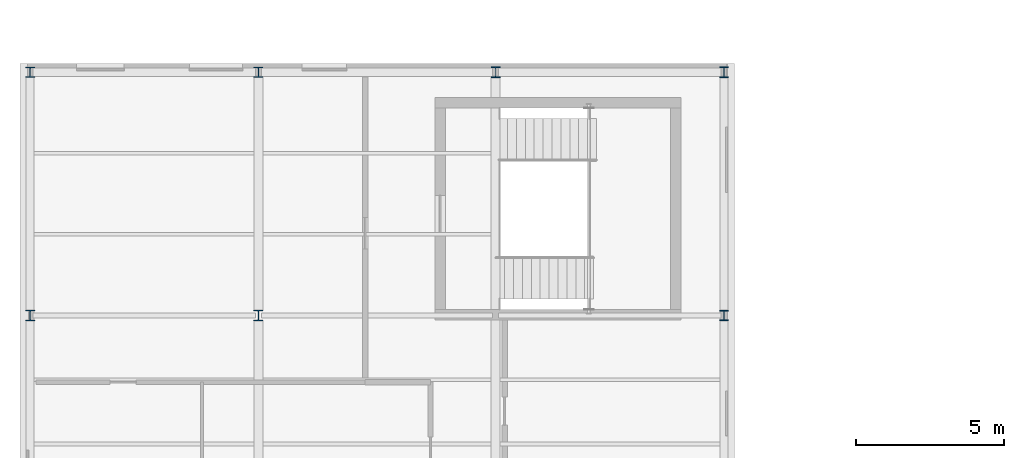
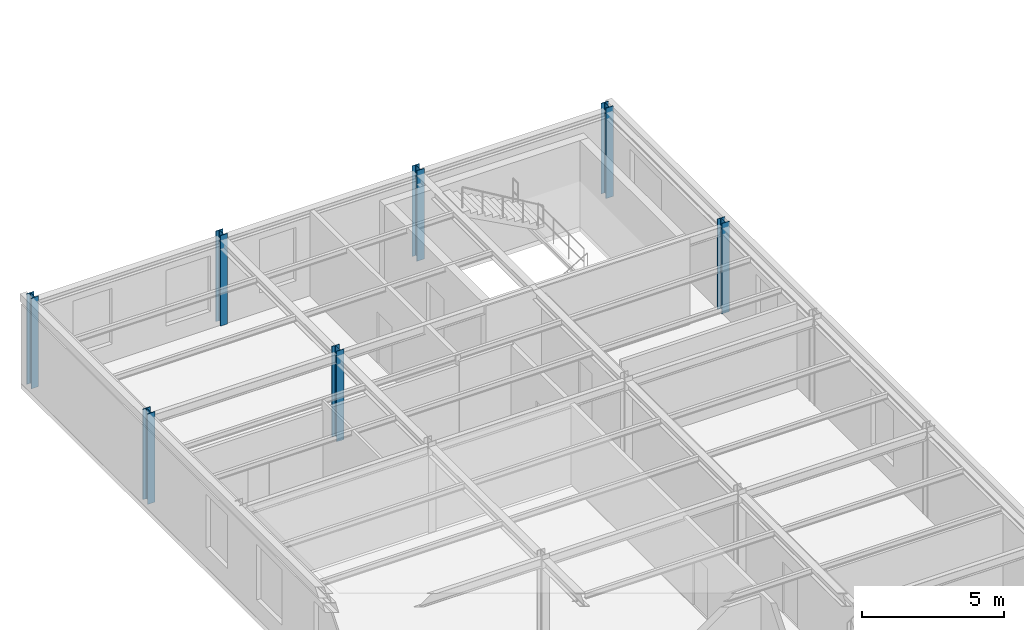
# One storey, part 5 of 41: 7 columns.
"""IFC4 building model written with IfcOpenShell, lengths in metres."""

from ifc_helpers import new_model, si_unit, direction, frame, origin, origin_2d, place, context, subcontext, project, spatial, i_section, extrude, material, material_profile, profile_set, type_object, element, save


model = new_model("IFC4")

# Units and contexts
model_context = context("Model", 3, precision=1e-05, world=origin(), true_north=direction((0.0, 1.0)))
body_context = subcontext(model_context, "Body", "Model", "MODEL_VIEW")
ifc_project = project(units=[si_unit("LENGTHUNIT", "METRE"), si_unit("AREAUNIT", "SQUARE_METRE"), si_unit("VOLUMEUNIT", "CUBIC_METRE"), si_unit("PLANEANGLEUNIT", "RADIAN"), si_unit("MASSUNIT", "GRAM", prefix="KILO"), si_unit("THERMODYNAMICTEMPERATUREUNIT", "KELVIN"), si_unit("POWERUNIT", "WATT")], contexts=[model_context])

# Site, building, storey
site_placement = place(None, origin())
site = spatial("IfcSite", under=ifc_project, at=site_placement, CompositionType="ELEMENT")
building_placement = place(site_placement, origin())
building = spatial("IfcBuilding", under=site, at=building_placement, Name="Solvatero Civic Police Headquarters", CompositionType="ELEMENT")
storey_placement = place(building_placement, frame((0.0, 0.0, 17.699951171875)))
storey = spatial("IfcBuildingStorey", under=building, at=storey_placement, Name="L04", CompositionType="ELEMENT", Elevation=17.699951171875)

# Columns
ifc_material = material(Name="Steel S355", Category="steel")
ifc_material_profile_1 = material_profile(ifc_material, i_section(OverallWidth=0.300048828125, OverallDepth=0.340087890625, WebThickness=0.011962890625, FlangeThickness=0.021484375, FilletRadius=0.027099609375, at=origin_2d()), Name="HEB 340")
ifc_profile_set_1 = profile_set([ifc_material_profile_1], Name="Steel S355")
column_type_1 = type_object("IfcColumnType", Name="COL-ST-HEB340", PredefinedType="COLUMN", material=ifc_profile_set_1)
for number, where, z_axis, x_axis, name in (
    (1, (4.800048828125, 83.199951171875, 0.0), (0.0, 0.0, 1.0), (1.0, 0.0, 0.0), "Column V6-X1Y6 L04"),
    (2, (12.5, 83.199951171875, 0.0), (0.0, 0.0, 1.0), (1.0, 0.0, 0.0), "Column V6-X2Y6 L04"),
    (3, (28.199951171875, 75.0, 0.0), (0.0, 0.0, 1.0), (1.0, 0.0, 0.0), "Column V6-X4Y5 L04"),
):
    element("IfcColumn", number, at=place(storey_placement, frame(where, z_axis=z_axis, x_axis=x_axis)), inside=storey, type_object=column_type_1, Name=name, PredefinedType="COLUMN", context=body_context, shape_type="SweptSolid", body=[
        extrude(i_section(OverallWidth=0.300048828125, OverallDepth=0.340087890625, WebThickness=0.011962890625, FlangeThickness=0.021484375, FilletRadius=0.027099609375, at=origin_2d()), origin(), (0.0, 0.0, 1.0), 3.900146484375),
    ])
ifc_material_profile_2 = material_profile(ifc_material, i_section(OverallWidth=0.300048828125, OverallDepth=0.360107421875, WebThickness=0.012451171875, FlangeThickness=0.0224609375, FilletRadius=0.027099609375, at=origin_2d()), Name="HEB 360")
ifc_profile_set_2 = profile_set([ifc_material_profile_2], Name="Steel S355")
column_type_2 = type_object("IfcColumnType", Name="COL-ST-HEB360", PredefinedType="COLUMN", material=ifc_profile_set_2)
for number, where, z_axis, x_axis, name in (
    (4, (4.800048828125, 75.0, 0.0), (0.0, 0.0, 1.0), (1.0, 0.0, 0.0), "Column V6-X1Y5 L04"),
    (5, (12.5, 75.0, 0.0), (0.0, 0.0, 1.0), (1.0, 0.0, 0.0), "Column V6-X2Y5 L04"),
    (6, (20.5, 83.199951171875, 0.0), (0.0, 0.0, 1.0), (1.0, 0.0, 0.0), "Column V6-X3Y6 L04"),
    (7, (28.199951171875, 83.199951171875, 0.0), (0.0, 0.0, 1.0), (1.0, 0.0, 0.0), "Column V6-X4Y6 L04"),
):
    element("IfcColumn", number, at=place(storey_placement, frame(where, z_axis=z_axis, x_axis=x_axis)), inside=storey, type_object=column_type_2, Name=name, PredefinedType="COLUMN", context=body_context, shape_type="SweptSolid", body=[
        extrude(i_section(OverallWidth=0.300048828125, OverallDepth=0.360107421875, WebThickness=0.012451171875, FlangeThickness=0.0224609375, FilletRadius=0.027099609375, at=origin_2d()), origin(), (0.0, 0.0, 1.0), 3.900146484375),
    ])

save(model, "model.ifc")
